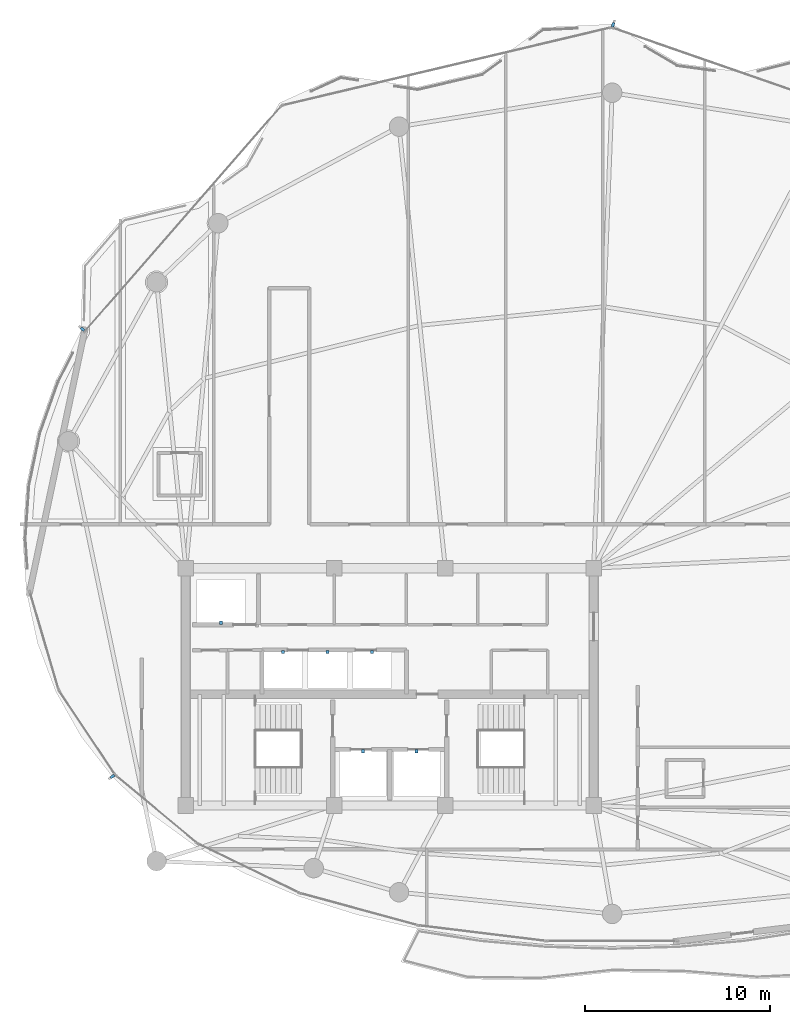
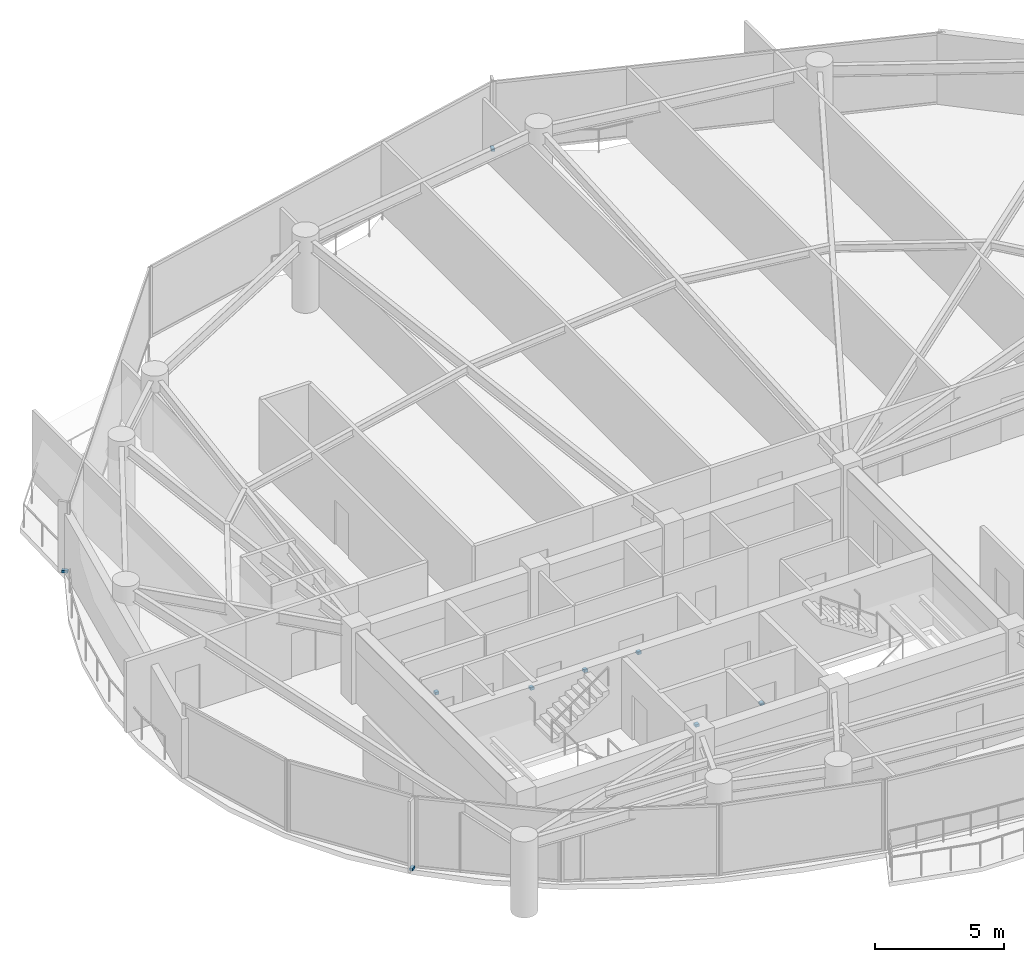
# One storey, part 26 of 29: 9 discrete accessories.
"""IFC4 building model written with IfcOpenShell, lengths in metres."""

from ifc_helpers import new_model, si_unit, direction, frame, origin, origin_2d, place, context, subcontext, project, spatial, rectangle, extrude, material, type_object, element, save


model = new_model("IFC4")

# Units and contexts
model_context = context("Model", 3, precision=1e-05, world=origin(), true_north=direction((0.0, 1.0)))
body_context = subcontext(model_context, "Body", "Model", "MODEL_VIEW")
ifc_project = project(units=[si_unit("LENGTHUNIT", "METRE"), si_unit("AREAUNIT", "SQUARE_METRE"), si_unit("VOLUMEUNIT", "CUBIC_METRE"), si_unit("PLANEANGLEUNIT", "RADIAN"), si_unit("MASSUNIT", "GRAM", prefix="KILO")], contexts=[model_context])

# Site, building, storey
site_placement = place(None, origin())
site = spatial("IfcSite", under=ifc_project, at=site_placement, CompositionType="ELEMENT")
building_placement = place(site_placement, origin())
building = spatial("IfcBuilding", under=site, at=building_placement, Name="Kazevale Care Tower and Concert Hall", CompositionType="ELEMENT")
storey_placement = place(building_placement, frame((0.0, 0.0, 213.60009765625)))
storey = spatial("IfcBuildingStorey", under=building, at=storey_placement, Name="L56", CompositionType="ELEMENT", Elevation=213.60009765625)

# Discrete accessories
ifc_material = material(Name="Stainless Steel 316", Category="steel")
discrete_accessory_type_1 = type_object("IfcDiscreteAccessoryType", Name="Facade Fin Stainless Anchor Bracket BRK-1", PredefinedType="BRACKET", material=ifc_material)
for number, where, z_axis, x_axis, name in (
    (1, (18.04443359375, 25.1689453125, -0.000244140625), (0.0, 0.0, 1.0), (-0.832147748683, -0.554553986878, 0.0), "cw:L56:f11:brk"),
    (2, (16.42626953125, 49.291015625, -0.000244140625), (0.0, 0.0, 1.0), (-0.753792813636, 0.657112162503, 0.0), "cw:L56:f14:brk"),
    (3, (45.047607421875, 65.71533203125, -0.000244140625), (0.0, 0.0, 1.0), (0.328536977169, 0.944491108816, 0.0), "cw:L56:f16:brk"),
):
    element("IfcDiscreteAccessory", number, at=place(storey_placement, frame(where, z_axis=z_axis, x_axis=x_axis)), inside=storey, type_object=discrete_accessory_type_1, Name=name, PredefinedType="BRACKET", context=body_context, shape_type="SweptSolid", body=[
        extrude(rectangle(XDim=0.239990234375, YDim=0.139892578125, at=origin_2d()), origin(), (0.0, 0.0, 1.0), 0.1201171875),
    ])
discrete_accessory_type_2 = type_object("IfcDiscreteAccessoryType", Name="Hoistway Guide-Rail Wall Bracket HBRK-1", PredefinedType="BRACKET", material=ifc_material)
for number, where, z_axis, x_axis, name in (
    (4, (31.550048828125, 26.52001953125, 1.23974609375), (0.0, 0.0, 1.0), (1.0, 0.0, 0.0), "hbrk:FFL-1:L56"),
    (5, (34.449951171875, 26.52001953125, 1.23974609375), (0.0, 0.0, 1.0), (1.0, 0.0, 0.0), "hbrk:FFL-2:L56"),
    (6, (23.89990234375, 33.449951171875, 1.23974609375), (0.0, 0.0, 1.0), (1.0, 0.0, 0.0), "hbrk:SVL-1:L56"),
    (7, (27.25, 31.8798828125, 1.23974609375), (0.0, 0.0, 1.0), (1.0, 0.0, 0.0), "hbrk:PH-1:L56"),
    (8, (29.64990234375, 31.8798828125, 1.23974609375), (0.0, 0.0, 1.0), (1.0, 0.0, 0.0), "hbrk:PH-2:L56"),
    (9, (32.050048828125, 31.8798828125, 1.23974609375), (0.0, 0.0, 1.0), (1.0, 0.0, 0.0), "hbrk:PH-3:L56"),
):
    element("IfcDiscreteAccessory", number, at=place(storey_placement, frame(where, z_axis=z_axis, x_axis=x_axis)), inside=storey, type_object=discrete_accessory_type_2, Name=name, PredefinedType="BRACKET", context=body_context, shape_type="SweptSolid", body=[
        extrude(rectangle(XDim=0.159912109375, YDim=0.179931640625, at=origin_2d()), origin(), (0.0, 0.0, 1.0), 0.1201171875),
    ])

save(model, "model.ifc")
